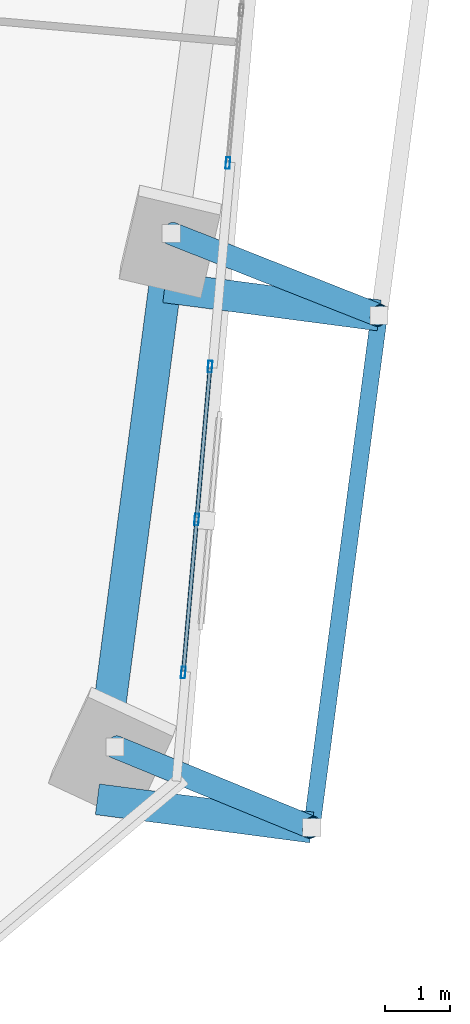
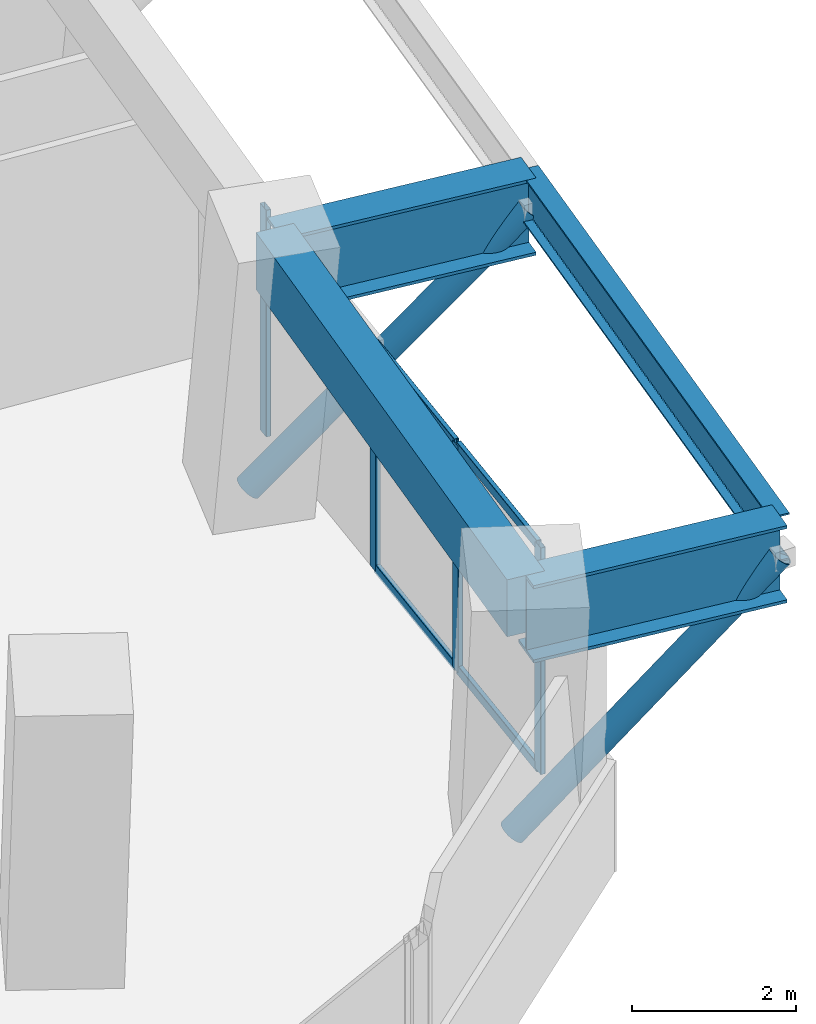
# One storey, part 10 of 23: 10 members, 4 beams, 2 elements without a shape of their own.
"""IFC4 building model written with IfcOpenShell, lengths in metres."""

import ifcopenshell
import ifcopenshell.guid

model = None  # the IFC model being written
_history = None  # IfcOwnerHistory: only IFC2X3 demands one
_inside = {}  # id of a spatial element -> (the spatial element, [elements in it])
_under = {}  # id of a project, library or spatial element -> (it, [spatial elements below it])
_declared = {}  # id of a project -> (the project, [libraries it declares])
_typed = {}  # id of a type object -> (the type object, [elements of that type])
_made_of = {}  # id of a material, layer set ... -> (it, [elements and type objects made of it])


def new_model(schema):
    """Start an empty IFC model of exactly this schema.

    Asked for "IFC4X3", IfcOpenShell would pick the latest addendum, in which some entities
    have other attributes; the version numbers below select the first issue.
    IFC2X3 requires an IfcOwnerHistory on every rooted entity: one is made here for all.
    """
    global model, _history
    if schema == "IFC4X3":
        model = ifcopenshell.file(schema_version=(4, 3, 0, 0))
    else:
        model = ifcopenshell.file(schema=schema)
    _inside.clear()
    _under.clear()
    _declared.clear()
    _typed.clear()
    _made_of.clear()
    _history = None
    if model.schema == "IFC2X3":
        org = make("IfcOrganization", Name="unknown")
        user = make(
            "IfcPersonAndOrganization",
            ThePerson=make("IfcPerson", FamilyName="unknown"),
            TheOrganization=org,
        )
        app = make(
            "IfcApplication",
            ApplicationDeveloper=org,
            Version="unknown",
            ApplicationFullName="unknown",
            ApplicationIdentifier="unknown",
        )
        _history = make(
            "IfcOwnerHistory",
            OwningUser=user,
            OwningApplication=app,
            ChangeAction="ADDED",
            CreationDate=0,
        )
    return model


def make(cls, **values):
    """One entity of the class cls with the attributes given. An attribute that is None is left unset."""
    return model.create_entity(
        cls, **{name: value for name, value in values.items() if value is not None}
    )


def rooted(cls, **values):
    """An entity with a GlobalId (a new one), such as an element, a storey or a relation."""
    return make(cls, GlobalId=ifcopenshell.guid.new(), OwnerHistory=_history, **values)


def si_unit(unit_type, name, prefix=None):
    """IfcSIUnit, for example si_unit("LENGTHUNIT", "METRE", prefix="MILLI")."""
    return make("IfcSIUnit", UnitType=unit_type, Prefix=prefix, Name=name)


def assignment(units):
    """IfcUnitAssignment: the units of a project."""
    return None if units is None else make("IfcUnitAssignment", Units=units)


def point(xyz):
    """IfcCartesianPoint."""
    return None if xyz is None else make("IfcCartesianPoint", Coordinates=xyz)


def direction(xyz):
    """IfcDirection."""
    return None if xyz is None else make("IfcDirection", DirectionRatios=xyz)


def frame(location, z_axis=None, x_axis=None):
    """IfcAxis2Placement3D, a coordinate frame: its origin and axes. An axis left out is left unset."""
    return make(
        "IfcAxis2Placement3D",
        Location=point(location),
        Axis=direction(z_axis),
        RefDirection=direction(x_axis),
    )


def frame_2d(location, x_axis=None):
    """IfcAxis2Placement2D, a coordinate frame in the plane: its origin and x axis."""
    return make(
        "IfcAxis2Placement2D", Location=point(location), RefDirection=direction(x_axis)
    )


def origin():
    """The frame at (0, 0, 0) with its axes left unset."""
    return frame((0.0, 0.0, 0.0))


def origin_2d():
    """The frame at (0, 0) in the plane with its x axis left unset."""
    return frame_2d((0.0, 0.0))


def place(relative_to, where):
    """IfcLocalPlacement: puts the frame where relative to a parent placement (None: the world)."""
    return make(
        "IfcLocalPlacement", PlacementRelTo=relative_to, RelativePlacement=where
    )


def context(
    kind, dimensions, precision=None, world=None, true_north=None, identifier=None
):
    """IfcGeometricRepresentationContext, for example the 3D "Model" context."""
    return make(
        "IfcGeometricRepresentationContext",
        ContextIdentifier=identifier,
        ContextType=kind,
        CoordinateSpaceDimension=dimensions,
        Precision=precision,
        WorldCoordinateSystem=world,
        TrueNorth=true_north,
    )


def subcontext(parent, identifier, kind, view, scale=None):
    """IfcGeometricRepresentationSubContext, for example "Body" below "Model"."""
    return make(
        "IfcGeometricRepresentationSubContext",
        ContextIdentifier=identifier,
        ContextType=kind,
        ParentContext=parent,
        TargetScale=scale,
        TargetView=view,
    )


def project(units=None, contexts=None):
    """IfcProject with its units and contexts."""
    return rooted(
        "IfcProject",
        Name="project",
        RepresentationContexts=contexts,
        UnitsInContext=assignment(units),
    )


def spatial(cls, under=None, at=None, **own):
    """A site, building, storey or space (cls), placed at a placement, below another one or the project."""
    s = rooted(cls, ObjectPlacement=at, **own)
    if under is not None:
        _under.setdefault(under.id(), (under, []))[1].append(s)
    return s


def profile(cls, at=None, kind="AREA", **sizes):
    """A parametric profile (cls). Its sizes go by their IFC names, for example OverallWidth=200.0."""
    return make(cls, ProfileType=kind, Position=at, **sizes)


def rectangle(**sizes):
    """IfcRectangleProfileDef."""
    return profile("IfcRectangleProfileDef", **sizes)


def hollow_rectangle(**sizes):
    """IfcRectangleHollowProfileDef."""
    return profile("IfcRectangleHollowProfileDef", **sizes)


def hollow_circle(**sizes):
    """IfcCircleHollowProfileDef."""
    return profile("IfcCircleHollowProfileDef", **sizes)


def i_section(**sizes):
    """IfcIShapeProfileDef."""
    return profile("IfcIShapeProfileDef", **sizes)


def extrude(swept, where, along, depth):
    """IfcExtrudedAreaSolid: the profile swept, set in the frame where, extruded along a direction by depth."""
    return make(
        "IfcExtrudedAreaSolid",
        SweptArea=swept,
        Position=where,
        ExtrudedDirection=direction(along),
        Depth=depth,
    )


def shape(context_of_items, identifier, shape_type, items):
    """IfcShapeRepresentation: the items that make up one representation, for example the "Body"."""
    return make(
        "IfcShapeRepresentation",
        ContextOfItems=context_of_items,
        RepresentationIdentifier=identifier,
        RepresentationType=shape_type,
        Items=items,
    )


def source(mapping_origin, context_of_items, identifier, shape_type, items):
    """IfcRepresentationMap: a shape defined once, which mapped items show again and again."""
    return make(
        "IfcRepresentationMap",
        MappingOrigin=mapping_origin,
        MappedRepresentation=shape(context_of_items, identifier, shape_type, items),
    )


def transform(
    local_origin,
    x_axis=None,
    y_axis=None,
    z_axis=None,
    scale=None,
    scale2=None,
    scale3=None,
    uniform=True,
):
    """IfcCartesianTransformationOperator3D, or its non-uniform kind. x_axis, y_axis, z_axis: its Axis1, 2, 3."""
    if uniform:
        return make(
            "IfcCartesianTransformationOperator3D",
            Axis1=direction(x_axis),
            Axis2=direction(y_axis),
            LocalOrigin=point(local_origin),
            Scale=scale,
            Axis3=direction(z_axis),
        )
    return make(
        "IfcCartesianTransformationOperator3DnonUniform",
        Axis1=direction(x_axis),
        Axis2=direction(y_axis),
        LocalOrigin=point(local_origin),
        Scale=scale,
        Axis3=direction(z_axis),
        Scale2=scale2,
        Scale3=scale3,
    )


def mapped(mapping_source, mapping_target):
    """IfcMappedItem: shows the shape of a source again, moved by a transform."""
    return make(
        "IfcMappedItem", MappingSource=mapping_source, MappingTarget=mapping_target
    )


def material(Name=None, Category=None):
    """IfcMaterial."""
    return make("IfcMaterial", Name=Name, Category=Category)


def material_profile(
    of_material, cross_section, Name=None, Category=None, Priority=None
):
    """IfcMaterialProfile: a cross section and its material."""
    return make(
        "IfcMaterialProfile",
        Name=Name,
        Material=of_material,
        Profile=cross_section,
        Priority=Priority,
        Category=Category,
    )


def profile_set(profiles, Name=None, composite=None):
    """IfcMaterialProfileSet."""
    return make(
        "IfcMaterialProfileSet",
        Name=Name,
        MaterialProfiles=profiles,
        CompositeProfile=composite,
    )


def made_of(thing, what):
    """Note that an element or type object is made of a material, layer set ...; save() writes the relation."""
    if what is not None:
        _made_of.setdefault(what.id(), (what, []))[1].append(thing)
    return thing


def type_object(cls, material=None, **own):
    """A type object (cls), such as IfcWallType, which elements share."""
    return made_of(rooted(cls, **own), material)


def element(
    cls,
    number,
    at=None,
    inside=None,
    cuts=None,
    type_object=None,
    material=None,
    context=None,
    identifier="Body",
    shape_type=None,
    held_by="IfcProductDefinitionShape",
    body=None,
    shapes=None,
    **own,
):
    """One element of the class cls, such as IfcWall. Its Tag is "e" and its number.

    at: its placement. inside: the storey or other place that contains it. cuts: it is an
    opening in that element (IfcRelVoidsElement). A single representation is given by context,
    identifier, shape_type and body (its items); several are given by shapes. held_by: the class
    of the entity that holds the representations. save() writes the other relations.
    """
    e = rooted(cls, Tag="e%d" % number, ObjectPlacement=at, **own)
    if body is not None:
        shapes = [shape(context, identifier, shape_type, body)]
    if shapes is not None:
        e.Representation = make(held_by, Representations=shapes)
    if inside is not None:
        _inside.setdefault(inside.id(), (inside, []))[1].append(e)
    if cuts is not None:
        rooted(
            "IfcRelVoidsElement", RelatingBuildingElement=cuts, RelatedOpeningElement=e
        )
    if type_object is not None:
        _typed.setdefault(type_object.id(), (type_object, []))[1].append(e)
    return made_of(e, material)


def aggregate(whole, parts):
    """IfcRelAggregates: a whole, such as a stair, and the parts it consists of."""
    return rooted("IfcRelAggregates", RelatingObject=whole, RelatedObjects=parts)


def save(model, path):
    """Write the relations noted so far, then the file.

    IfcRelAggregates (storeys below a building ...), IfcRelContainedInSpatialStructure (elements
    in a storey), IfcRelDefinesByType, IfcRelAssociatesMaterial and IfcRelDeclares: one each for
    every whole, place, type object, material and project.
    """
    for whole, parts in _under.values():
        aggregate(whole, parts)
    for where, things in _inside.values():
        rooted(
            "IfcRelContainedInSpatialStructure",
            RelatedElements=things,
            RelatingStructure=where,
        )
    for kind, things in _typed.values():
        rooted("IfcRelDefinesByType", RelatedObjects=things, RelatingType=kind)
    for what, things in _made_of.values():
        rooted("IfcRelAssociatesMaterial", RelatedObjects=things, RelatingMaterial=what)
    for by, libraries in _declared.values():
        rooted("IfcRelDeclares", RelatingContext=by, RelatedDefinitions=libraries)
    model.write(path)


model = new_model("IFC4")

# Units and contexts
model_context = context("Model", 3, precision=1e-05, world=origin(), true_north=direction((0.0, 1.0)))
body_context = subcontext(model_context, "Body", "Model", "MODEL_VIEW")
ifc_project = project(units=[si_unit("LENGTHUNIT", "METRE"), si_unit("AREAUNIT", "SQUARE_METRE"), si_unit("VOLUMEUNIT", "CUBIC_METRE"), si_unit("PLANEANGLEUNIT", "RADIAN"), si_unit("MASSUNIT", "GRAM", prefix="KILO")], contexts=[model_context])

# Site, building, storey
site_placement = place(None, origin())
site = spatial("IfcSite", under=ifc_project, at=site_placement, CompositionType="ELEMENT")
building_placement = place(site_placement, origin())
building = spatial("IfcBuilding", under=site, at=building_placement, Name="Torre Montelarca", CompositionType="ELEMENT")
storey_placement = place(building_placement, frame((0.0, 0.0, 56.800048828125)))
storey = spatial("IfcBuildingStorey", under=building, at=storey_placement, Name="L12", CompositionType="ELEMENT", Elevation=56.800048828125)

# Members
ifc_material_1 = material(Name="Steel ASTM A500 Grade C", Category="steel")
ifc_material_profile_1 = material_profile(ifc_material_1, hollow_circle(Radius=0.177734375, WallThickness=0.015869140625, at=origin_2d()), Name="HSS355.6X15.9", Category="steel")
ifc_profile_set_1 = profile_set([ifc_material_profile_1], Name="Steel ASTM A500 Grade C")
member_type_1 = type_object("IfcMemberType", Name="MB-BR-CHS356-EXT", PredefinedType="BRACE", material=ifc_profile_set_1)
shared_shape_1 = source(origin(), body_context, "Body", "SweptSolid", [
    extrude(hollow_circle(Radius=0.177734375, WallThickness=0.015869140625, at=origin_2d()), origin(), (0.0, 0.0, 1.0), 5.055419921875),
])
member_1_placement = place(storey_placement, frame((58.900146484375, 19.856201171875, 0.14990234375), z_axis=(0.602831644404, -0.247304402066, 0.758574018289), x_axis=(0.37954171677, 0.925174624183, 0.0)))
element("IfcMember", 1, at=member_1_placement, inside=storey, type_object=member_type_1, Name="L13 Sliding Tray Exterior Diagonal Raker Strut E1", PredefinedType="BRACE", context=body_context, shape_type="MappedRepresentation", body=[
    mapped(shared_shape_1, transform((0.0, 0.0, 0.0), scale=1.0)),
])
shared_shape_2 = source(origin(), body_context, "Body", "SweptSolid", [
    extrude(hollow_circle(Radius=0.177734375, WallThickness=0.015869140625, at=origin_2d()), origin(), (0.0, 0.0, 1.0), 5.166748046875),
])
member_2_placement = place(storey_placement, frame((59.771240234375, 27.80859375, 0.14990234375), z_axis=(0.623352080217, -0.24599537065, 0.742238817166), x_axis=(0.367083051656, 0.930188170849, 0.0)))
element("IfcMember", 2, at=member_2_placement, inside=storey, type_object=member_type_1, Name="L13 Sliding Tray Exterior Diagonal Raker Strut E2", PredefinedType="BRACE", context=body_context, shape_type="MappedRepresentation", body=[
    mapped(shared_shape_2, transform((0.0, 0.0, 0.0), scale=1.0)),
])

# Beams
ifc_material_2 = material(Name="Concrete C55/67", Category="concrete")
ifc_material_profile_2 = material_profile(ifc_material_2, rectangle(XDim=0.5, YDim=0.85009765625, at=origin_2d()), Name="RCB500X850", Category="concrete")
ifc_profile_set_2 = profile_set([ifc_material_profile_2], Name="Concrete C55/67")
beam_type_1 = type_object("IfcBeamType", Name="BM-SP-RC850-EXT", PredefinedType="SPANDREL", material=ifc_profile_set_2)
shared_shape_3 = source(origin(), body_context, "Body", "SweptSolid", [
    extrude(rectangle(XDim=0.5, YDim=0.85009765625, at=origin_2d()), origin(), (0.0, 0.0, 1.0), 7.999755859375),
])
beam_1_placement = place(storey_placement, frame((58.62646484375, 19.043212890625, 4.135009765625), z_axis=(0.130526351537, 0.991444840399, 0.0), x_axis=(-0.991444840399, 0.130526351537, 0.0)))
element("IfcBeam", 3, at=beam_1_placement, inside=storey, type_object=beam_type_1, Name="L12 Grid Girder Y 24.0-32.0 at X=60.0", PredefinedType="SPANDREL", context=body_context, shape_type="MappedRepresentation", body=[
    mapped(shared_shape_3, transform((0.0, 0.0, 0.0), scale=1.0)),
])
ifc_material_3 = material(Name="Steel ASTM A572 Grade 50", Category="steel")
ifc_material_profile_3 = material_profile(ifc_material_3, i_section(OverallWidth=0.47998046875, OverallDepth=1.14990234375, WebThickness=0.02197265625, FlangeThickness=0.044921875, at=origin_2d()), Name="PG1150X480X22X45", Category="steel")
ifc_profile_set_3 = profile_set([ifc_material_profile_3], Name="Steel ASTM A572 Grade 50")
beam_type_2 = type_object("IfcBeamType", Name="BM-CG-PG1400-EXT", PredefinedType="USERDEFINED", material=ifc_profile_set_3)
shared_shape_4 = source(origin(), body_context, "Body", "SweptSolid", [
    extrude(i_section(OverallWidth=0.47998046875, OverallDepth=1.14990234375, WebThickness=0.02197265625, FlangeThickness=0.044921875, at=origin_2d()), origin(), (0.0, 0.0, 1.0), 3.349853515625),
])
for number, where, z_axis, x_axis, name in (
    (4, (58.62646484375, 19.043212890625, 3.98486328125), (0.991444866817, -0.130526150873, 0.0), (0.130526150873, 0.991444866817, 0.0), "L12 Sliding Tray Cantilever Girder East Y=24m (FLR)"),
    (5, (59.670654296875, 26.974609375, 3.98486328125), (0.991454295543, -0.130454512571, 0.0), (0.130454512571, 0.991454295543, 0.0), "L12 Sliding Tray Cantilever Girder East Y=32m (FLR)"),
):
    element("IfcBeam", number, at=place(storey_placement, frame(where, z_axis=z_axis, x_axis=x_axis)), inside=storey, type_object=beam_type_2, Name=name, ObjectType="CANTILEVER GIRDER", PredefinedType="USERDEFINED", context=body_context, shape_type="MappedRepresentation", body=[
        mapped(shared_shape_4, transform((0.0, 0.0, 0.0), scale=1.0)),
    ])
ifc_material_4 = material(Name="Steel ASTM A992 Grade 50", Category="steel")
ifc_material_profile_4 = material_profile(ifc_material_4, i_section(OverallWidth=0.256103515625, OverallDepth=0.693115234375, WebThickness=0.014404296875, FlangeThickness=0.023681640625, FilletRadius=0.01806640625, at=origin_2d()), Name="W690X170", Category="steel")
ifc_profile_set_4 = profile_set([ifc_material_profile_4], Name="Steel ASTM A992 Grade 50")
beam_type_3 = type_object("IfcBeamType", Name="BM-G-W690-EXT", PredefinedType="BEAM", material=ifc_profile_set_4)
shared_shape_5 = source(origin(), body_context, "Body", "SweptSolid", [
    extrude(i_section(OverallWidth=0.256103515625, OverallDepth=0.693115234375, WebThickness=0.014404296875, FlangeThickness=0.023681640625, FilletRadius=0.01806640625, at=origin_2d()), origin(), (0.0, 0.0, 1.0), 8.0),
])
beam_2_placement = place(storey_placement, frame((61.94775390625, 18.60595703125, 4.212890625), z_axis=(0.130522402305, 0.991445360318, 0.0), x_axis=(-0.991445360318, 0.130522402305, 0.0)))
element("IfcBeam", 6, at=beam_2_placement, inside=storey, type_object=beam_type_3, Name="L12 Sliding Tray Edge Girder East 24-32m (FLR)", PredefinedType="BEAM", context=body_context, shape_type="MappedRepresentation", body=[
    mapped(shared_shape_5, transform((0.0, 0.0, 0.0), scale=1.0)),
])

# Curtain wall, members
ifc_material_5 = material(Name="Insulated low-E laminated glass", Category="glass")
curtain_wall_type = type_object("IfcCurtainWallType", Name="CW-SYS-Z1", PredefinedType="USERDEFINED", material=ifc_material_5)
curtain_wall_1_placement = place(storey_placement, origin())
curtain_wall_1 = element("IfcCurtainWall", 7, at=curtain_wall_1_placement, inside=storey, type_object=curtain_wall_type, Name="L12 Curtain Wall Run CW-T3-L12-E06-B1", ObjectType="UNITISED GLAZING", PredefinedType="USERDEFINED")
ifc_material_6 = material(Name="Anodised aluminium AA 6063-T6", Category="aluminium")
ifc_material_profile_5 = material_profile(ifc_material_6, hollow_rectangle(XDim=0.06494140625, YDim=0.179931640625, WallThickness=0.00390625, InnerFilletRadius=0.00390625, OuterFilletRadius=0.008056640625, at=origin_2d()), Name="ALU65X180X4", Category="aluminium")
ifc_profile_set_5 = profile_set([ifc_material_profile_5], Name="Anodised aluminium AA 6063-T6")
member_type_2 = type_object("IfcMemberType", Name="CWM-ALU180", PredefinedType="MULLION", material=ifc_profile_set_5)
shared_shape_6 = source(origin(), body_context, "Body", "SweptSolid", [
    extrude(hollow_rectangle(XDim=0.06494140625, YDim=0.179931640625, WallThickness=0.00390625, InnerFilletRadius=0.00390625, OuterFilletRadius=0.008056640625, at=origin_2d()), origin(), (0.0, 0.0, 1.0), 3.375),
])
member_3_placement = place(storey_placement, frame((59.958251953125, 21.005859375, 0.0), z_axis=(0.0, 0.0, 1.0), x_axis=(-0.996194707559, 0.087155634532, 0.0)))
member_3 = element("IfcMember", 8, at=member_3_placement, type_object=member_type_2, Name="CW mullion 1", PredefinedType="MULLION", context=body_context, shape_type="MappedRepresentation", body=[
    mapped(shared_shape_6, transform((0.0, 0.0, 0.0), scale=1.0)),
])
member_4_placement = place(storey_placement, frame((60.16552734375, 23.376220703125, 0.0), z_axis=(0.0, 0.0, 1.0), x_axis=(-0.996194707559, 0.087155634532, 0.0)))
member_4 = element("IfcMember", 9, at=member_4_placement, type_object=member_type_2, Name="CW mullion 2", PredefinedType="MULLION", context=body_context, shape_type="MappedRepresentation", body=[
    mapped(shared_shape_6, transform((0.0, 0.0, 0.0), scale=1.0)),
])
member_5_placement = place(storey_placement, frame((60.372802734375, 25.746337890625, 0.0), z_axis=(0.0, 0.0, 1.0), x_axis=(-0.996194707559, 0.087155634532, 0.0)))
member_5 = element("IfcMember", 10, at=member_5_placement, type_object=member_type_2, Name="CW mullion 3", PredefinedType="MULLION", context=body_context, shape_type="MappedRepresentation", body=[
    mapped(shared_shape_6, transform((0.0, 0.0, 0.0), scale=1.0)),
])

# Curtain wall, member
curtain_wall_2_placement = place(storey_placement, origin())
curtain_wall_2 = element("IfcCurtainWall", 11, at=curtain_wall_2_placement, inside=storey, type_object=curtain_wall_type, Name="L12 Curtain Wall Run CW-T3-L12-E06-B2", ObjectType="UNITISED GLAZING", PredefinedType="USERDEFINED")
member_6_placement = place(storey_placement, frame((60.648681640625, 28.898681640625, 0.0), z_axis=(0.0, 0.0, 1.0), x_axis=(-0.996193086655, 0.087174159591, 0.0)))
member_6 = element("IfcMember", 12, at=member_6_placement, type_object=member_type_2, Name="CW mullion 1", PredefinedType="MULLION", context=body_context, shape_type="MappedRepresentation", body=[
    mapped(shared_shape_6, transform((0.0, 0.0, 0.0), scale=1.0)),
])
aggregate(curtain_wall_2, [member_6])

# Member
ifc_material_profile_6 = material_profile(ifc_material_6, hollow_rectangle(XDim=0.06494140625, YDim=0.139892578125, WallThickness=0.00390625, InnerFilletRadius=0.00390625, OuterFilletRadius=0.008056640625, at=origin_2d()), Name="ALU65X140X4", Category="aluminium")
ifc_profile_set_6 = profile_set([ifc_material_profile_6], Name="Anodised aluminium AA 6063-T6")
member_type_3 = type_object("IfcMemberType", Name="CWT-ALU140", PredefinedType="USERDEFINED", material=ifc_profile_set_6)
shared_shape_7 = source(origin(), body_context, "Body", "SweptSolid", [
    extrude(hollow_rectangle(XDim=0.06494140625, YDim=0.139892578125, WallThickness=0.00390625, InnerFilletRadius=0.00390625, OuterFilletRadius=0.008056640625, at=origin_2d()), origin(), (0.0, 0.0, 1.0), 2.314208984375),
])
member_7_placement = place(storey_placement, frame((59.9609375, 21.038330078125, 0.032470703125), z_axis=(0.087139468031, 0.996196121811, 0.0), x_axis=(-0.996196121811, 0.087139468031, 0.0)))
member_7 = element("IfcMember", 13, at=member_7_placement, type_object=member_type_3, Name="CW transom 1.1", ObjectType="TRANSOM", PredefinedType="USERDEFINED", context=body_context, shape_type="MappedRepresentation", body=[
    mapped(shared_shape_7, transform((0.0, 0.0, 0.0), scale=1.0)),
])

member_8_placement = place(storey_placement, frame((59.9609375, 21.038330078125, 3.342529296875), z_axis=(0.087139468031, 0.996196121811, 0.0), x_axis=(-0.996196121811, 0.087139468031, 0.0)))
member_8 = element("IfcMember", 14, at=member_8_placement, type_object=member_type_3, Name="CW transom 1.2", ObjectType="TRANSOM", PredefinedType="USERDEFINED", context=body_context, shape_type="MappedRepresentation", body=[
    mapped(shared_shape_7, transform((0.0, 0.0, 0.0), scale=1.0)),
])

member_9_placement = place(storey_placement, frame((60.168212890625, 23.408447265625, 0.032470703125), z_axis=(0.087244161251, 0.996186958521, 0.0), x_axis=(-0.996186958521, 0.087244161251, 0.0)))
member_9 = element("IfcMember", 15, at=member_9_placement, type_object=member_type_3, Name="CW transom 2.1", ObjectType="TRANSOM", PredefinedType="USERDEFINED", context=body_context, shape_type="MappedRepresentation", body=[
    mapped(shared_shape_7, transform((0.0, 0.0, 0.0), scale=1.0)),
])

member_10_placement = place(storey_placement, frame((60.168212890625, 23.408447265625, 3.342529296875), z_axis=(0.087244161251, 0.996186958521, 0.0), x_axis=(-0.996186958521, 0.087244161251, 0.0)))
member_10 = element("IfcMember", 16, at=member_10_placement, type_object=member_type_3, Name="CW transom 2.2", ObjectType="TRANSOM", PredefinedType="USERDEFINED", context=body_context, shape_type="MappedRepresentation", body=[
    mapped(shared_shape_7, transform((0.0, 0.0, 0.0), scale=1.0)),
])

aggregate(curtain_wall_1, [member_3, member_4, member_5, member_7, member_8, member_9, member_10])

save(model, "model.ifc")
